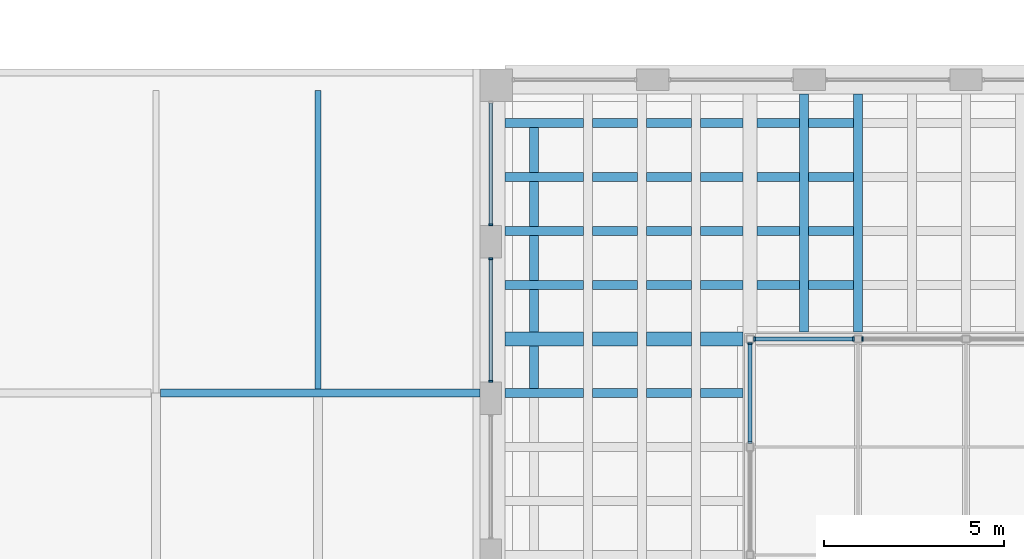
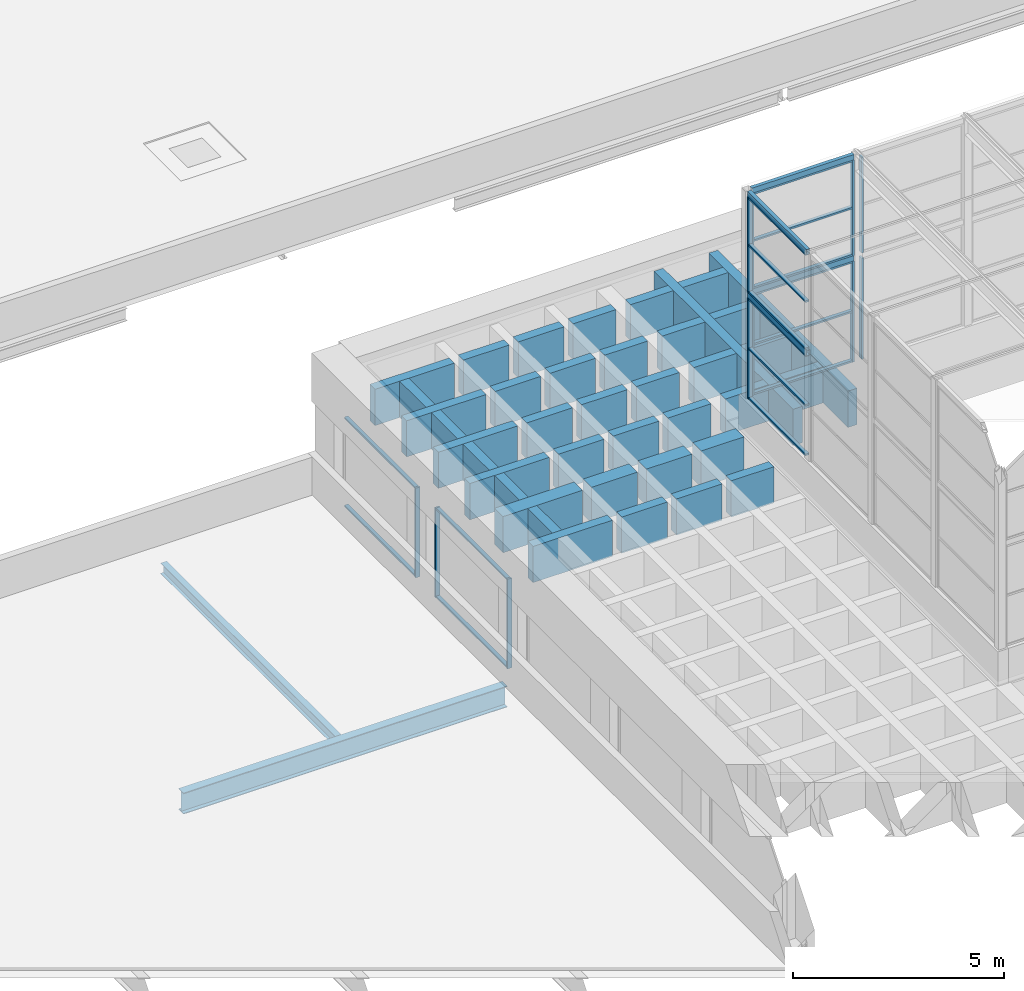
# One storey, part 21 of 50: 45 beams, 27 members, 8 elements without a shape of their own.
"""IFC4 building model written with IfcOpenShell, lengths in metres."""

from ifc_helpers import new_model, si_unit, direction, frame, origin, origin_2d, place, context, subcontext, project, spatial, rectangle, hollow_rectangle, i_section, extrude, material, layer, layer_set, material_profile, profile_set, type_object, element, aggregate, save


model = new_model("IFC4")

# Units and contexts
model_context = context("Model", 3, precision=1e-05, world=origin(), true_north=direction((0.0, 1.0)))
body_context = subcontext(model_context, "Body", "Model", "MODEL_VIEW")
ifc_project = project(units=[si_unit("LENGTHUNIT", "METRE"), si_unit("AREAUNIT", "SQUARE_METRE"), si_unit("VOLUMEUNIT", "CUBIC_METRE"), si_unit("PLANEANGLEUNIT", "RADIAN"), si_unit("MASSUNIT", "GRAM", prefix="KILO")], contexts=[model_context])

# Site, building, storey
site_placement = place(None, origin())
site = spatial("IfcSite", under=ifc_project, at=site_placement, CompositionType="ELEMENT")
building_placement = place(site_placement, origin())
building = spatial("IfcBuilding", under=site, at=building_placement, Name="Corbel Yard City Hall", CompositionType="ELEMENT")
storey_placement = place(building_placement, frame((0.0, 0.0, 15.0)))
storey = spatial("IfcBuildingStorey", under=building, at=storey_placement, Name="L03", CompositionType="ELEMENT", Elevation=15.0)

# Beams
ifc_material_1 = material(Name="Concrete N50 (50 MPa)", Category="concrete")
ifc_material_profile_1 = material_profile(ifc_material_1, rectangle(XDim=0.25, YDim=1.050048828125, at=origin_2d()), Name="250x1050")
ifc_profile_set_1 = profile_set([ifc_material_profile_1], Name="Concrete N50 (50 MPa)")
beam_type_1 = type_object("IfcBeamType", Name="Coffer bay rib RC 250X1050", PredefinedType="T_BEAM", material=ifc_profile_set_1)
for number, where, z_axis, x_axis, name in (
    (1, (126.0, 73.699951171875, 3.125), (0.0, 1.0, 0.0), (-1.0, 0.0, 0.0), "Coffer bay rib RB5"),
    (2, (127.5, 73.699951171875, 3.125), (0.0, 1.0, 0.0), (-1.0, 0.0, 0.0), "Coffer bay rib RB5"),
):
    element("IfcBeam", number, at=place(storey_placement, frame(where, z_axis=z_axis, x_axis=x_axis)), inside=storey, type_object=beam_type_1, Name=name, PredefinedType="T_BEAM", context=body_context, shape_type="SweptSolid", body=[
        extrude(rectangle(XDim=0.25, YDim=1.050048828125, at=origin_2d()), origin(), (0.0, 0.0, 1.0), 6.60009765625),
    ])
ifc_material_profile_2 = material_profile(ifc_material_1, rectangle(XDim=0.25, YDim=1.050048828125, at=origin_2d()), Name="250x1050")
ifc_profile_set_2 = profile_set([ifc_material_profile_2], Name="Concrete N50 (50 MPa)")
beam_type_2 = type_object("IfcBeamType", Name="Coffer cross rib RC 250X1050", PredefinedType="T_BEAM", material=ifc_profile_set_2)
for number, where, z_axis, x_axis, name in (
    (3, (118.5, 72.125, 3.125), (0.0, 1.0, 0.0), (-1.0, 0.0, 0.0), "Coffer cross rib RB3"),
    (4, (118.5, 73.699951171875, 3.125), (0.0, 1.0, 0.0), (-1.0, 0.0, 0.0), "Coffer cross rib RB3"),
):
    element("IfcBeam", number, at=place(storey_placement, frame(where, z_axis=z_axis, x_axis=x_axis)), inside=storey, type_object=beam_type_2, Name=name, PredefinedType="T_BEAM", context=body_context, shape_type="SweptSolid", body=[
        extrude(rectangle(XDim=0.25, YDim=1.050048828125, at=origin_2d()), origin(), (0.0, 0.0, 1.0), 1.175048828125),
    ])
for number, where, z_axis, x_axis, name in (
    (5, (118.5, 75.125, 3.125), (0.0, 1.0, 0.0), (-1.0, 0.0, 0.0), "Coffer cross rib RB3"),
    (6, (118.5, 76.625, 3.125), (0.0, 1.0, 0.0), (-1.0, 0.0, 0.0), "Coffer cross rib RB3"),
    (7, (118.5, 78.125, 3.125), (0.0, 1.0, 0.0), (-1.0, 0.0, 0.0), "Coffer cross rib RB3"),
):
    element("IfcBeam", number, at=place(storey_placement, frame(where, z_axis=z_axis, x_axis=x_axis)), inside=storey, type_object=beam_type_2, Name=name, PredefinedType="T_BEAM", context=body_context, shape_type="SweptSolid", body=[
        extrude(rectangle(XDim=0.25, YDim=1.050048828125, at=origin_2d()), origin(), (0.0, 0.0, 1.0), 1.25),
    ])
beam_1_placement = place(storey_placement, frame((117.699951171875, 72.0, 3.125), z_axis=(1.0, 0.0, 0.0), x_axis=(0.0, 1.0, 0.0)))
element("IfcBeam", 8, at=beam_1_placement, inside=storey, type_object=beam_type_2, Name="Coffer cross rib RB3", PredefinedType="T_BEAM", context=body_context, shape_type="SweptSolid", body=[
    extrude(rectangle(XDim=0.25, YDim=1.050048828125, at=origin_2d()), origin(), (0.0, 0.0, 1.0), 2.175048828125),
])
for number, where, z_axis, x_axis, name in (
    (9, (120.125, 72.0, 3.125), (1.0, 0.0, 0.0), (0.0, 1.0, 0.0), "Coffer cross rib RB3"),
    (10, (121.625, 72.0, 3.125), (1.0, 0.0, 0.0), (0.0, 1.0, 0.0), "Coffer cross rib RB3"),
):
    element("IfcBeam", number, at=place(storey_placement, frame(where, z_axis=z_axis, x_axis=x_axis)), inside=storey, type_object=beam_type_2, Name=name, PredefinedType="T_BEAM", context=body_context, shape_type="SweptSolid", body=[
        extrude(rectangle(XDim=0.25, YDim=1.050048828125, at=origin_2d()), origin(), (0.0, 0.0, 1.0), 1.25),
    ])
beam_2_placement = place(storey_placement, frame((123.125, 72.0, 3.125), z_axis=(1.0, 0.0, 0.0), x_axis=(0.0, 1.0, 0.0)))
element("IfcBeam", 11, at=beam_2_placement, inside=storey, type_object=beam_type_2, Name="Coffer cross rib RB3", PredefinedType="T_BEAM", context=body_context, shape_type="SweptSolid", body=[
    extrude(rectangle(XDim=0.25, YDim=1.050048828125, at=origin_2d()), origin(), (0.0, 0.0, 1.0), 1.175048828125),
])
beam_3_placement = place(storey_placement, frame((117.699951171875, 75.0, 3.125), z_axis=(1.0, 0.0, 0.0), x_axis=(0.0, 1.0, 0.0)))
element("IfcBeam", 12, at=beam_3_placement, inside=storey, type_object=beam_type_2, Name="Coffer cross rib RB3", PredefinedType="T_BEAM", context=body_context, shape_type="SweptSolid", body=[
    extrude(rectangle(XDim=0.25, YDim=1.050048828125, at=origin_2d()), origin(), (0.0, 0.0, 1.0), 2.175048828125),
])
for number, where, z_axis, x_axis, name in (
    (13, (120.125, 75.0, 3.125), (1.0, 0.0, 0.0), (0.0, 1.0, 0.0), "Coffer cross rib RB3"),
    (14, (121.625, 75.0, 3.125), (1.0, 0.0, 0.0), (0.0, 1.0, 0.0), "Coffer cross rib RB3"),
):
    element("IfcBeam", number, at=place(storey_placement, frame(where, z_axis=z_axis, x_axis=x_axis)), inside=storey, type_object=beam_type_2, Name=name, PredefinedType="T_BEAM", context=body_context, shape_type="SweptSolid", body=[
        extrude(rectangle(XDim=0.25, YDim=1.050048828125, at=origin_2d()), origin(), (0.0, 0.0, 1.0), 1.25),
    ])
for number, where, z_axis, x_axis, name in (
    (15, (123.125, 75.0, 3.125), (1.0, 0.0, 0.0), (0.0, 1.0, 0.0), "Coffer cross rib RB3"),
    (16, (124.699951171875, 75.0, 3.125), (1.0, 0.0, 0.0), (0.0, 1.0, 0.0), "Coffer cross rib RB3"),
):
    element("IfcBeam", number, at=place(storey_placement, frame(where, z_axis=z_axis, x_axis=x_axis)), inside=storey, type_object=beam_type_2, Name=name, PredefinedType="T_BEAM", context=body_context, shape_type="SweptSolid", body=[
        extrude(rectangle(XDim=0.25, YDim=1.050048828125, at=origin_2d()), origin(), (0.0, 0.0, 1.0), 1.175048828125),
    ])
beam_4_placement = place(storey_placement, frame((126.125, 75.0, 3.125), z_axis=(1.0, 0.0, 0.0), x_axis=(0.0, 1.0, 0.0)))
element("IfcBeam", 17, at=beam_4_placement, inside=storey, type_object=beam_type_2, Name="Coffer cross rib RB3", PredefinedType="T_BEAM", context=body_context, shape_type="SweptSolid", body=[
    extrude(rectangle(XDim=0.25, YDim=1.050048828125, at=origin_2d()), origin(), (0.0, 0.0, 1.0), 1.25),
])
beam_5_placement = place(storey_placement, frame((117.699951171875, 76.5, 3.125), z_axis=(1.0, 0.0, 0.0), x_axis=(0.0, 1.0, 0.0)))
element("IfcBeam", 18, at=beam_5_placement, inside=storey, type_object=beam_type_2, Name="Coffer cross rib RB3", PredefinedType="T_BEAM", context=body_context, shape_type="SweptSolid", body=[
    extrude(rectangle(XDim=0.25, YDim=1.050048828125, at=origin_2d()), origin(), (0.0, 0.0, 1.0), 2.175048828125),
])
for number, where, z_axis, x_axis, name in (
    (19, (120.125, 76.5, 3.125), (1.0, 0.0, 0.0), (0.0, 1.0, 0.0), "Coffer cross rib RB3"),
    (20, (121.625, 76.5, 3.125), (1.0, 0.0, 0.0), (0.0, 1.0, 0.0), "Coffer cross rib RB3"),
):
    element("IfcBeam", number, at=place(storey_placement, frame(where, z_axis=z_axis, x_axis=x_axis)), inside=storey, type_object=beam_type_2, Name=name, PredefinedType="T_BEAM", context=body_context, shape_type="SweptSolid", body=[
        extrude(rectangle(XDim=0.25, YDim=1.050048828125, at=origin_2d()), origin(), (0.0, 0.0, 1.0), 1.25),
    ])
for number, where, z_axis, x_axis, name in (
    (21, (123.125, 76.5, 3.125), (1.0, 0.0, 0.0), (0.0, 1.0, 0.0), "Coffer cross rib RB3"),
    (22, (124.699951171875, 76.5, 3.125), (1.0, 0.0, 0.0), (0.0, 1.0, 0.0), "Coffer cross rib RB3"),
):
    element("IfcBeam", number, at=place(storey_placement, frame(where, z_axis=z_axis, x_axis=x_axis)), inside=storey, type_object=beam_type_2, Name=name, PredefinedType="T_BEAM", context=body_context, shape_type="SweptSolid", body=[
        extrude(rectangle(XDim=0.25, YDim=1.050048828125, at=origin_2d()), origin(), (0.0, 0.0, 1.0), 1.175048828125),
    ])
beam_6_placement = place(storey_placement, frame((126.125, 76.5, 3.125), z_axis=(1.0, 0.0, 0.0), x_axis=(0.0, 1.0, 0.0)))
element("IfcBeam", 23, at=beam_6_placement, inside=storey, type_object=beam_type_2, Name="Coffer cross rib RB3", PredefinedType="T_BEAM", context=body_context, shape_type="SweptSolid", body=[
    extrude(rectangle(XDim=0.25, YDim=1.050048828125, at=origin_2d()), origin(), (0.0, 0.0, 1.0), 1.25),
])
beam_7_placement = place(storey_placement, frame((117.699951171875, 78.0, 3.125), z_axis=(1.0, 0.0, 0.0), x_axis=(0.0, 1.0, 0.0)))
element("IfcBeam", 24, at=beam_7_placement, inside=storey, type_object=beam_type_2, Name="Coffer cross rib RB3", PredefinedType="T_BEAM", context=body_context, shape_type="SweptSolid", body=[
    extrude(rectangle(XDim=0.25, YDim=1.050048828125, at=origin_2d()), origin(), (0.0, 0.0, 1.0), 2.175048828125),
])
for number, where, z_axis, x_axis, name in (
    (25, (120.125, 78.0, 3.125), (1.0, 0.0, 0.0), (0.0, 1.0, 0.0), "Coffer cross rib RB3"),
    (26, (121.625, 78.0, 3.125), (1.0, 0.0, 0.0), (0.0, 1.0, 0.0), "Coffer cross rib RB3"),
):
    element("IfcBeam", number, at=place(storey_placement, frame(where, z_axis=z_axis, x_axis=x_axis)), inside=storey, type_object=beam_type_2, Name=name, PredefinedType="T_BEAM", context=body_context, shape_type="SweptSolid", body=[
        extrude(rectangle(XDim=0.25, YDim=1.050048828125, at=origin_2d()), origin(), (0.0, 0.0, 1.0), 1.25),
    ])
for number, where, z_axis, x_axis, name in (
    (27, (123.125, 78.0, 3.125), (1.0, 0.0, 0.0), (0.0, 1.0, 0.0), "Coffer cross rib RB3"),
    (28, (124.699951171875, 78.0, 3.125), (1.0, 0.0, 0.0), (0.0, 1.0, 0.0), "Coffer cross rib RB3"),
):
    element("IfcBeam", number, at=place(storey_placement, frame(where, z_axis=z_axis, x_axis=x_axis)), inside=storey, type_object=beam_type_2, Name=name, PredefinedType="T_BEAM", context=body_context, shape_type="SweptSolid", body=[
        extrude(rectangle(XDim=0.25, YDim=1.050048828125, at=origin_2d()), origin(), (0.0, 0.0, 1.0), 1.175048828125),
    ])
beam_8_placement = place(storey_placement, frame((126.125, 78.0, 3.125), z_axis=(1.0, 0.0, 0.0), x_axis=(0.0, 1.0, 0.0)))
element("IfcBeam", 29, at=beam_8_placement, inside=storey, type_object=beam_type_2, Name="Coffer cross rib RB3", PredefinedType="T_BEAM", context=body_context, shape_type="SweptSolid", body=[
    extrude(rectangle(XDim=0.25, YDim=1.050048828125, at=origin_2d()), origin(), (0.0, 0.0, 1.0), 1.25),
])
beam_9_placement = place(storey_placement, frame((117.699951171875, 79.5, 3.125), z_axis=(1.0, 0.0, 0.0), x_axis=(0.0, 1.0, 0.0)))
element("IfcBeam", 30, at=beam_9_placement, inside=storey, type_object=beam_type_2, Name="Coffer cross rib RB3", PredefinedType="T_BEAM", context=body_context, shape_type="SweptSolid", body=[
    extrude(rectangle(XDim=0.25, YDim=1.050048828125, at=origin_2d()), origin(), (0.0, 0.0, 1.0), 2.175048828125),
])
for number, where, z_axis, x_axis, name in (
    (31, (120.125, 79.5, 3.125), (1.0, 0.0, 0.0), (0.0, 1.0, 0.0), "Coffer cross rib RB3"),
    (32, (121.625, 79.5, 3.125), (1.0, 0.0, 0.0), (0.0, 1.0, 0.0), "Coffer cross rib RB3"),
):
    element("IfcBeam", number, at=place(storey_placement, frame(where, z_axis=z_axis, x_axis=x_axis)), inside=storey, type_object=beam_type_2, Name=name, PredefinedType="T_BEAM", context=body_context, shape_type="SweptSolid", body=[
        extrude(rectangle(XDim=0.25, YDim=1.050048828125, at=origin_2d()), origin(), (0.0, 0.0, 1.0), 1.25),
    ])
for number, where, z_axis, x_axis, name in (
    (33, (123.125, 79.5, 3.125), (1.0, 0.0, 0.0), (0.0, 1.0, 0.0), "Coffer cross rib RB3"),
    (34, (124.699951171875, 79.5, 3.125), (1.0, 0.0, 0.0), (0.0, 1.0, 0.0), "Coffer cross rib RB3"),
):
    element("IfcBeam", number, at=place(storey_placement, frame(where, z_axis=z_axis, x_axis=x_axis)), inside=storey, type_object=beam_type_2, Name=name, PredefinedType="T_BEAM", context=body_context, shape_type="SweptSolid", body=[
        extrude(rectangle(XDim=0.25, YDim=1.050048828125, at=origin_2d()), origin(), (0.0, 0.0, 1.0), 1.175048828125),
    ])
beam_10_placement = place(storey_placement, frame((126.125, 79.5, 3.125), z_axis=(1.0, 0.0, 0.0), x_axis=(0.0, 1.0, 0.0)))
element("IfcBeam", 35, at=beam_10_placement, inside=storey, type_object=beam_type_2, Name="Coffer cross rib RB3", PredefinedType="T_BEAM", context=body_context, shape_type="SweptSolid", body=[
    extrude(rectangle(XDim=0.25, YDim=1.050048828125, at=origin_2d()), origin(), (0.0, 0.0, 1.0), 1.25),
])
ifc_material_2 = material(Name="Steel Grade 300 (300 MPa yield)", Category="steel")
ifc_material_profile_3 = material_profile(ifc_material_2, i_section(OverallWidth=0.22900390625, OverallDepth=0.612060546875, WebThickness=0.011962890625, FlangeThickness=0.01953125, at=origin_2d()), Name="610UB125")
ifc_profile_set_3 = profile_set([ifc_material_profile_3], Name="Steel Grade 300 (300 MPa yield)")
beam_type_3 = type_object("IfcBeamType", Name="Girder 610UB125", PredefinedType="BEAM", material=ifc_profile_set_3)
beam_11_placement = place(storey_placement, frame((108.1298828125, 72.0, -0.4560546875), z_axis=(1.0, 0.0, 0.0), x_axis=(0.0, 1.0, 0.0)))
element("IfcBeam", 36, at=beam_11_placement, inside=storey, type_object=beam_type_3, Name="Girder 610UB125 GB1 L03roof", PredefinedType="BEAM", context=body_context, shape_type="SweptSolid", body=[
    extrude(i_section(OverallWidth=0.22900390625, OverallDepth=0.612060546875, WebThickness=0.011962890625, FlangeThickness=0.01953125, at=origin_2d()), origin(), (0.0, 0.0, 1.0), 8.8701171875),
])
ifc_material_3 = material(Name="Steel Grade C450L0", Category="steel")
ifc_material_profile_4 = material_profile(ifc_material_3, hollow_rectangle(XDim=0.10009765625, YDim=0.14990234375, WallThickness=0.006103515625, at=origin_2d()), Name="150x100x6.0RHS")
ifc_profile_set_4 = profile_set([ifc_material_profile_4], Name="Steel Grade C450L0")
beam_type_4 = type_object("IfcBeamType", Name="Lantern frame beam 150x100x6.0RHS", PredefinedType="BEAM", material=ifc_profile_set_4)
for number, where, z_axis, x_axis, name in (
    (37, (124.60009765625, 73.5, 10.574951171875), (1.0, 0.0, 0.0), (0.0, 1.0, 0.0), "Lantern frame beam 150x100x6.0RHS SB22"),
    (38, (124.5, 70.60009765625, 10.574951171875), (0.0, 1.0, 0.0), (-1.0, 0.0, 0.0), "Lantern frame beam 150x100x6.0RHS SB22"),
    (39, (124.60009765625, 73.5, 7.64990234375), (1.0, 0.0, 0.0), (0.0, 1.0, 0.0), "Lantern frame beam 150x100x6.0RHS SB22"),
    (40, (124.5, 70.60009765625, 7.64990234375), (0.0, 1.0, 0.0), (-1.0, 0.0, 0.0), "Lantern frame beam 150x100x6.0RHS SB22"),
):
    element("IfcBeam", number, at=place(storey_placement, frame(where, z_axis=z_axis, x_axis=x_axis)), inside=storey, type_object=beam_type_4, Name=name, PredefinedType="BEAM", context=body_context, shape_type="SweptSolid", body=[
        extrude(hollow_rectangle(XDim=0.10009765625, YDim=0.14990234375, WallThickness=0.006103515625, at=origin_2d()), origin(), (0.0, 0.0, 1.0), 2.7998046875),
    ])
ifc_material_profile_5 = material_profile(ifc_material_1, rectangle(XDim=0.39990234375, YDim=1.050048828125, at=origin_2d()), Name="400x1050")
ifc_profile_set_5 = profile_set([ifc_material_profile_5], Name="Concrete N50 (50 MPa)")
beam_type_5 = type_object("IfcBeamType", Name="Lantern trimmer cross rib RC 400X1050", PredefinedType="BEAM", material=ifc_profile_set_5)
beam_12_placement = place(storey_placement, frame((117.699951171875, 73.5, 3.125), z_axis=(1.0, 0.0, 0.0), x_axis=(0.0, 1.0, 0.0)))
element("IfcBeam", 41, at=beam_12_placement, inside=storey, type_object=beam_type_5, Name="Lantern trimmer cross rib RB4", PredefinedType="BEAM", context=body_context, shape_type="SweptSolid", body=[
    extrude(rectangle(XDim=0.39990234375, YDim=1.050048828125, at=origin_2d()), origin(), (0.0, 0.0, 1.0), 2.175048828125),
])
for number, where, z_axis, x_axis, name in (
    (42, (120.125, 73.5, 3.125), (1.0, 0.0, 0.0), (0.0, 1.0, 0.0), "Lantern trimmer cross rib RB4"),
    (43, (121.625, 73.5, 3.125), (1.0, 0.0, 0.0), (0.0, 1.0, 0.0), "Lantern trimmer cross rib RB4"),
):
    element("IfcBeam", number, at=place(storey_placement, frame(where, z_axis=z_axis, x_axis=x_axis)), inside=storey, type_object=beam_type_5, Name=name, PredefinedType="BEAM", context=body_context, shape_type="SweptSolid", body=[
        extrude(rectangle(XDim=0.39990234375, YDim=1.050048828125, at=origin_2d()), origin(), (0.0, 0.0, 1.0), 1.25),
    ])
beam_13_placement = place(storey_placement, frame((123.125, 73.5, 3.125), z_axis=(1.0, 0.0, 0.0), x_axis=(0.0, 1.0, 0.0)))
element("IfcBeam", 44, at=beam_13_placement, inside=storey, type_object=beam_type_5, Name="Lantern trimmer cross rib RB4", PredefinedType="BEAM", context=body_context, shape_type="SweptSolid", body=[
    extrude(rectangle(XDim=0.39990234375, YDim=1.050048828125, at=origin_2d()), origin(), (0.0, 0.0, 1.0), 1.175048828125),
])

# Curtain wall, members
ifc_material_4 = material(Name="Aluminium extrusion", Category="aluminium")
ifc_layer = layer(ifc_material_4, 0.1201171875)
ifc_layer_set = layer_set([ifc_layer], Name="Aluminium extrusion")
curtain_wall_type = type_object("IfcCurtainWallType", Name="CW3", PredefinedType="USERDEFINED", material=ifc_layer_set)
curtain_wall_1_placement = place(storey_placement, origin())
curtain_wall_1 = element("IfcCurtainWall", 45, at=curtain_wall_1_placement, inside=storey, type_object=curtain_wall_type, Name="Lantern glazing", ObjectType="CURTAIN WALL", PredefinedType="USERDEFINED")
ifc_material_profile_6 = material_profile(ifc_material_4, rectangle(XDim=0.1201171875, YDim=0.050048828125, at=origin_2d()), Name="120x50")
ifc_profile_set_6 = profile_set([ifc_material_profile_6], Name="Aluminium extrusion")
member_type_1 = type_object("IfcMemberType", Name="ML3", PredefinedType="MULLION", material=ifc_profile_set_6)
member_1_placement = place(storey_placement, frame((124.625, 73.5, 4.64990234375), z_axis=(0.0, 0.0, 1.0), x_axis=(0.0, 1.0, 0.0)))
member_1 = element("IfcMember", 46, at=member_1_placement, type_object=member_type_1, Name="CW3 mullion 1", PredefinedType="MULLION", context=body_context, shape_type="SweptSolid", body=[
    extrude(rectangle(XDim=0.1201171875, YDim=0.050048828125, at=origin_2d()), origin(), (0.0, 0.0, 1.0), 2.925048828125),
])
member_2_placement = place(storey_placement, frame((127.375, 73.5, 4.64990234375), z_axis=(0.0, 0.0, 1.0), x_axis=(0.0, 1.0, 0.0)))
member_2 = element("IfcMember", 47, at=member_2_placement, type_object=member_type_1, Name="CW3 mullion 2", PredefinedType="MULLION", context=body_context, shape_type="SweptSolid", body=[
    extrude(rectangle(XDim=0.1201171875, YDim=0.050048828125, at=origin_2d()), origin(), (0.0, 0.0, 1.0), 2.925048828125),
])

# Curtain wall, member
curtain_wall_2_placement = place(storey_placement, origin())
curtain_wall_2 = element("IfcCurtainWall", 48, at=curtain_wall_2_placement, inside=storey, type_object=curtain_wall_type, Name="Lantern glazing", ObjectType="CURTAIN WALL", PredefinedType="USERDEFINED")
member_3_placement = place(storey_placement, frame((127.625, 73.5, 4.64990234375), z_axis=(0.0, 0.0, 1.0), x_axis=(0.0, 1.0, 0.0)))
member_3 = element("IfcMember", 49, at=member_3_placement, type_object=member_type_1, Name="CW3 mullion 1", PredefinedType="MULLION", context=body_context, shape_type="SweptSolid", body=[
    extrude(rectangle(XDim=0.1201171875, YDim=0.050048828125, at=origin_2d()), origin(), (0.0, 0.0, 1.0), 2.925048828125),
])
aggregate(curtain_wall_2, [member_3])

curtain_wall_3_placement = place(storey_placement, origin())
curtain_wall_3 = element("IfcCurtainWall", 50, at=curtain_wall_3_placement, inside=storey, type_object=curtain_wall_type, Name="Lantern glazing", ObjectType="CURTAIN WALL", PredefinedType="USERDEFINED")
member_4_placement = place(storey_placement, frame((124.5, 73.375, 4.64990234375), z_axis=(0.0, 0.0, 1.0), x_axis=(-1.0, 0.0, 0.0)))
member_4 = element("IfcMember", 51, at=member_4_placement, type_object=member_type_1, Name="CW3 mullion 2", PredefinedType="MULLION", context=body_context, shape_type="SweptSolid", body=[
    extrude(rectangle(XDim=0.1201171875, YDim=0.050048828125, at=origin_2d()), origin(), (0.0, 0.0, 1.0), 2.925048828125),
])

# Curtain wall, members
curtain_wall_4_placement = place(storey_placement, origin())
curtain_wall_4 = element("IfcCurtainWall", 52, at=curtain_wall_4_placement, inside=storey, type_object=curtain_wall_type, Name="Lantern glazing", ObjectType="CURTAIN WALL", PredefinedType="USERDEFINED")
member_5_placement = place(storey_placement, frame((124.625, 73.5, 7.72509765625), z_axis=(0.0, 0.0, 1.0), x_axis=(0.0, 1.0, 0.0)))
member_5 = element("IfcMember", 53, at=member_5_placement, type_object=member_type_1, Name="CW3 mullion 1", PredefinedType="MULLION", context=body_context, shape_type="SweptSolid", body=[
    extrude(rectangle(XDim=0.1201171875, YDim=0.050048828125, at=origin_2d()), origin(), (0.0, 0.0, 1.0), 2.77490234375),
])
member_6_placement = place(storey_placement, frame((127.375, 73.5, 7.72509765625), z_axis=(0.0, 0.0, 1.0), x_axis=(0.0, 1.0, 0.0)))
member_6 = element("IfcMember", 54, at=member_6_placement, type_object=member_type_1, Name="CW3 mullion 2", PredefinedType="MULLION", context=body_context, shape_type="SweptSolid", body=[
    extrude(rectangle(XDim=0.1201171875, YDim=0.050048828125, at=origin_2d()), origin(), (0.0, 0.0, 1.0), 2.77490234375),
])

# Curtain wall, member
curtain_wall_5_placement = place(storey_placement, origin())
curtain_wall_5 = element("IfcCurtainWall", 55, at=curtain_wall_5_placement, inside=storey, type_object=curtain_wall_type, Name="Lantern glazing", ObjectType="CURTAIN WALL", PredefinedType="USERDEFINED")
member_7_placement = place(storey_placement, frame((127.625, 73.5, 7.72509765625), z_axis=(0.0, 0.0, 1.0), x_axis=(0.0, 1.0, 0.0)))
member_7 = element("IfcMember", 56, at=member_7_placement, type_object=member_type_1, Name="CW3 mullion 1", PredefinedType="MULLION", context=body_context, shape_type="SweptSolid", body=[
    extrude(rectangle(XDim=0.1201171875, YDim=0.050048828125, at=origin_2d()), origin(), (0.0, 0.0, 1.0), 2.77490234375),
])
aggregate(curtain_wall_5, [member_7])

curtain_wall_6_placement = place(storey_placement, origin())
curtain_wall_6 = element("IfcCurtainWall", 57, at=curtain_wall_6_placement, inside=storey, type_object=curtain_wall_type, Name="Lantern glazing", ObjectType="CURTAIN WALL", PredefinedType="USERDEFINED")
member_8_placement = place(storey_placement, frame((124.5, 73.375, 7.72509765625), z_axis=(0.0, 0.0, 1.0), x_axis=(-1.0, 0.0, 0.0)))
member_8 = element("IfcMember", 58, at=member_8_placement, type_object=member_type_1, Name="CW3 mullion 2", PredefinedType="MULLION", context=body_context, shape_type="SweptSolid", body=[
    extrude(rectangle(XDim=0.1201171875, YDim=0.050048828125, at=origin_2d()), origin(), (0.0, 0.0, 1.0), 2.77490234375),
])

# Curtain wall, members
curtain_wall_7_placement = place(storey_placement, origin())
curtain_wall_7 = element("IfcCurtainWall", 59, at=curtain_wall_7_placement, inside=storey, type_object=curtain_wall_type, Name="Chamber clerestory glazing", ObjectType="CURTAIN WALL", PredefinedType="USERDEFINED")
member_9_placement = place(storey_placement, frame((117.300048828125, 72.324951171875, 0.0), z_axis=(0.0, 0.0, 1.0), x_axis=(-1.0, 0.0, 0.0)))
member_9 = element("IfcMember", 60, at=member_9_placement, type_object=member_type_1, Name="CW3 mullion 1", PredefinedType="MULLION", context=body_context, shape_type="SweptSolid", body=[
    extrude(rectangle(XDim=0.1201171875, YDim=0.050048828125, at=origin_2d()), origin(), (0.0, 0.0, 1.0), 2.60009765625),
])
member_10_placement = place(storey_placement, frame((117.300048828125, 75.72509765625, 0.0), z_axis=(0.0, 0.0, 1.0), x_axis=(-1.0, 0.0, 0.0)))
member_10 = element("IfcMember", 61, at=member_10_placement, type_object=member_type_1, Name="CW3 mullion 2", PredefinedType="MULLION", context=body_context, shape_type="SweptSolid", body=[
    extrude(rectangle(XDim=0.1201171875, YDim=0.050048828125, at=origin_2d()), origin(), (0.0, 0.0, 1.0), 2.60009765625),
])

# Curtain wall, member
curtain_wall_8_placement = place(storey_placement, origin())
curtain_wall_8 = element("IfcCurtainWall", 62, at=curtain_wall_8_placement, inside=storey, type_object=curtain_wall_type, Name="Chamber clerestory glazing", ObjectType="CURTAIN WALL", PredefinedType="USERDEFINED")
member_11_placement = place(storey_placement, frame((117.300048828125, 76.675048828125, 0.0), z_axis=(0.0, 0.0, 1.0), x_axis=(-1.0, 0.0, 0.0)))
member_11 = element("IfcMember", 63, at=member_11_placement, type_object=member_type_1, Name="CW3 mullion 1", PredefinedType="MULLION", context=body_context, shape_type="SweptSolid", body=[
    extrude(rectangle(XDim=0.1201171875, YDim=0.050048828125, at=origin_2d()), origin(), (0.0, 0.0, 1.0), 2.60009765625),
])

# Beam
ifc_material_profile_7 = material_profile(ifc_material_2, i_section(OverallWidth=0.166015625, OverallDepth=0.306884765625, WebThickness=0.006591796875, FlangeThickness=0.01171875, at=origin_2d()), Name="310UB46.2")
ifc_profile_set_7 = profile_set([ifc_material_profile_7], Name="Steel Grade 300 (300 MPa yield)")
beam_type_6 = type_object("IfcBeamType", Name="Secondary beam 310UB46.2", PredefinedType="JOIST", material=ifc_profile_set_7)
beam_14_placement = place(storey_placement, frame((112.5, 72.114501953125, -0.303466796875), z_axis=(0.0, 1.0, 0.0), x_axis=(-1.0, 0.0, 0.0)))
element("IfcBeam", 64, at=beam_14_placement, inside=storey, type_object=beam_type_6, Name="Secondary beam 310UB46.2 SB17 L03roof", PredefinedType="JOIST", context=body_context, shape_type="SweptSolid", body=[
    extrude(i_section(OverallWidth=0.166015625, OverallDepth=0.306884765625, WebThickness=0.006591796875, FlangeThickness=0.01171875, at=origin_2d()), origin(), (0.0, 0.0, 1.0), 8.285400390625),
])

# Member
ifc_material_profile_8 = material_profile(ifc_material_4, rectangle(XDim=0.10009765625, YDim=0.050048828125, at=origin_2d()), Name="100x50")
ifc_profile_set_8 = profile_set([ifc_material_profile_8], Name="Aluminium extrusion")
member_type_2 = type_object("IfcMemberType", Name="TR3", PredefinedType="USERDEFINED", material=ifc_profile_set_8)
member_12_placement = place(storey_placement, frame((124.64990234375, 73.5, 4.675048828125), z_axis=(1.0, 0.0, 0.0), x_axis=(0.0, 1.0, 0.0)))
member_12 = element("IfcMember", 65, at=member_12_placement, type_object=member_type_2, Name="CW3 transom 1.1", ObjectType="TRANSOM", PredefinedType="USERDEFINED", context=body_context, shape_type="SweptSolid", body=[
    extrude(rectangle(XDim=0.10009765625, YDim=0.050048828125, at=origin_2d()), origin(), (0.0, 0.0, 1.0), 2.7001953125),
])

member_13_placement = place(storey_placement, frame((124.64990234375, 73.5, 6.112548828125), z_axis=(1.0, 0.0, 0.0), x_axis=(0.0, 1.0, 0.0)))
member_13 = element("IfcMember", 66, at=member_13_placement, type_object=member_type_2, Name="CW3 transom 1.2", ObjectType="TRANSOM", PredefinedType="USERDEFINED", context=body_context, shape_type="SweptSolid", body=[
    extrude(rectangle(XDim=0.10009765625, YDim=0.050048828125, at=origin_2d()), origin(), (0.0, 0.0, 1.0), 2.7001953125),
])

member_14_placement = place(storey_placement, frame((124.64990234375, 73.5, 7.550048828125), z_axis=(1.0, 0.0, 0.0), x_axis=(0.0, 1.0, 0.0)))
member_14 = element("IfcMember", 67, at=member_14_placement, type_object=member_type_2, Name="CW3 transom 1.3", ObjectType="TRANSOM", PredefinedType="USERDEFINED", context=body_context, shape_type="SweptSolid", body=[
    extrude(rectangle(XDim=0.10009765625, YDim=0.050048828125, at=origin_2d()), origin(), (0.0, 0.0, 1.0), 2.7001953125),
])

aggregate(curtain_wall_1, [member_1, member_2, member_12, member_13, member_14])

member_15_placement = place(storey_placement, frame((124.5, 70.64990234375, 4.675048828125), z_axis=(0.0, 1.0, 0.0), x_axis=(-1.0, 0.0, 0.0)))
member_15 = element("IfcMember", 68, at=member_15_placement, type_object=member_type_2, Name="CW3 transom 1.1", ObjectType="TRANSOM", PredefinedType="USERDEFINED", context=body_context, shape_type="SweptSolid", body=[
    extrude(rectangle(XDim=0.10009765625, YDim=0.050048828125, at=origin_2d()), origin(), (0.0, 0.0, 1.0), 2.7001953125),
])

member_16_placement = place(storey_placement, frame((124.5, 70.64990234375, 6.112548828125), z_axis=(0.0, 1.0, 0.0), x_axis=(-1.0, 0.0, 0.0)))
member_16 = element("IfcMember", 69, at=member_16_placement, type_object=member_type_2, Name="CW3 transom 1.2", ObjectType="TRANSOM", PredefinedType="USERDEFINED", context=body_context, shape_type="SweptSolid", body=[
    extrude(rectangle(XDim=0.10009765625, YDim=0.050048828125, at=origin_2d()), origin(), (0.0, 0.0, 1.0), 2.7001953125),
])

member_17_placement = place(storey_placement, frame((124.5, 70.64990234375, 7.550048828125), z_axis=(0.0, 1.0, 0.0), x_axis=(-1.0, 0.0, 0.0)))
member_17 = element("IfcMember", 70, at=member_17_placement, type_object=member_type_2, Name="CW3 transom 1.3", ObjectType="TRANSOM", PredefinedType="USERDEFINED", context=body_context, shape_type="SweptSolid", body=[
    extrude(rectangle(XDim=0.10009765625, YDim=0.050048828125, at=origin_2d()), origin(), (0.0, 0.0, 1.0), 2.7001953125),
])

aggregate(curtain_wall_3, [member_4, member_15, member_16, member_17])

member_18_placement = place(storey_placement, frame((124.64990234375, 73.5, 7.75), z_axis=(1.0, 0.0, 0.0), x_axis=(0.0, 1.0, 0.0)))
member_18 = element("IfcMember", 71, at=member_18_placement, type_object=member_type_2, Name="CW3 transom 1.1", ObjectType="TRANSOM", PredefinedType="USERDEFINED", context=body_context, shape_type="SweptSolid", body=[
    extrude(rectangle(XDim=0.10009765625, YDim=0.050048828125, at=origin_2d()), origin(), (0.0, 0.0, 1.0), 2.7001953125),
])

member_19_placement = place(storey_placement, frame((124.64990234375, 73.5, 9.112548828125), z_axis=(1.0, 0.0, 0.0), x_axis=(0.0, 1.0, 0.0)))
member_19 = element("IfcMember", 72, at=member_19_placement, type_object=member_type_2, Name="CW3 transom 1.2", ObjectType="TRANSOM", PredefinedType="USERDEFINED", context=body_context, shape_type="SweptSolid", body=[
    extrude(rectangle(XDim=0.10009765625, YDim=0.050048828125, at=origin_2d()), origin(), (0.0, 0.0, 1.0), 2.7001953125),
])

member_20_placement = place(storey_placement, frame((124.64990234375, 73.5, 10.47509765625), z_axis=(1.0, 0.0, 0.0), x_axis=(0.0, 1.0, 0.0)))
member_20 = element("IfcMember", 73, at=member_20_placement, type_object=member_type_2, Name="CW3 transom 1.3", ObjectType="TRANSOM", PredefinedType="USERDEFINED", context=body_context, shape_type="SweptSolid", body=[
    extrude(rectangle(XDim=0.10009765625, YDim=0.050048828125, at=origin_2d()), origin(), (0.0, 0.0, 1.0), 2.7001953125),
])

aggregate(curtain_wall_4, [member_5, member_6, member_18, member_19, member_20])

member_21_placement = place(storey_placement, frame((124.5, 70.64990234375, 7.75), z_axis=(0.0, 1.0, 0.0), x_axis=(-1.0, 0.0, 0.0)))
member_21 = element("IfcMember", 74, at=member_21_placement, type_object=member_type_2, Name="CW3 transom 1.1", ObjectType="TRANSOM", PredefinedType="USERDEFINED", context=body_context, shape_type="SweptSolid", body=[
    extrude(rectangle(XDim=0.10009765625, YDim=0.050048828125, at=origin_2d()), origin(), (0.0, 0.0, 1.0), 2.7001953125),
])

member_22_placement = place(storey_placement, frame((124.5, 70.64990234375, 9.112548828125), z_axis=(0.0, 1.0, 0.0), x_axis=(-1.0, 0.0, 0.0)))
member_22 = element("IfcMember", 75, at=member_22_placement, type_object=member_type_2, Name="CW3 transom 1.2", ObjectType="TRANSOM", PredefinedType="USERDEFINED", context=body_context, shape_type="SweptSolid", body=[
    extrude(rectangle(XDim=0.10009765625, YDim=0.050048828125, at=origin_2d()), origin(), (0.0, 0.0, 1.0), 2.7001953125),
])

member_23_placement = place(storey_placement, frame((124.5, 70.64990234375, 10.47509765625), z_axis=(0.0, 1.0, 0.0), x_axis=(-1.0, 0.0, 0.0)))
member_23 = element("IfcMember", 76, at=member_23_placement, type_object=member_type_2, Name="CW3 transom 1.3", ObjectType="TRANSOM", PredefinedType="USERDEFINED", context=body_context, shape_type="SweptSolid", body=[
    extrude(rectangle(XDim=0.10009765625, YDim=0.050048828125, at=origin_2d()), origin(), (0.0, 0.0, 1.0), 2.7001953125),
])

aggregate(curtain_wall_6, [member_8, member_21, member_22, member_23])

member_24_placement = place(storey_placement, frame((117.300048828125, 72.35009765625, 0.02490234375), z_axis=(0.0, 1.0, 0.0), x_axis=(-1.0, 0.0, 0.0)))
member_24 = element("IfcMember", 77, at=member_24_placement, type_object=member_type_2, Name="CW3 transom 1.1", ObjectType="TRANSOM", PredefinedType="USERDEFINED", context=body_context, shape_type="SweptSolid", body=[
    extrude(rectangle(XDim=0.10009765625, YDim=0.050048828125, at=origin_2d()), origin(), (0.0, 0.0, 1.0), 3.349853515625),
])

member_25_placement = place(storey_placement, frame((117.300048828125, 72.35009765625, 2.574951171875), z_axis=(0.0, 1.0, 0.0), x_axis=(-1.0, 0.0, 0.0)))
member_25 = element("IfcMember", 78, at=member_25_placement, type_object=member_type_2, Name="CW3 transom 1.2", ObjectType="TRANSOM", PredefinedType="USERDEFINED", context=body_context, shape_type="SweptSolid", body=[
    extrude(rectangle(XDim=0.10009765625, YDim=0.050048828125, at=origin_2d()), origin(), (0.0, 0.0, 1.0), 3.349853515625),
])

aggregate(curtain_wall_7, [member_9, member_10, member_24, member_25])

member_26_placement = place(storey_placement, frame((117.300048828125, 76.699951171875, 0.02490234375), z_axis=(0.0, 1.0, 0.0), x_axis=(-1.0, 0.0, 0.0)))
member_26 = element("IfcMember", 79, at=member_26_placement, type_object=member_type_2, Name="CW3 transom 1.1", ObjectType="TRANSOM", PredefinedType="USERDEFINED", context=body_context, shape_type="SweptSolid", body=[
    extrude(rectangle(XDim=0.10009765625, YDim=0.050048828125, at=origin_2d()), origin(), (0.0, 0.0, 1.0), 3.35009765625),
])

member_27_placement = place(storey_placement, frame((117.300048828125, 76.699951171875, 2.574951171875), z_axis=(0.0, 1.0, 0.0), x_axis=(-1.0, 0.0, 0.0)))
member_27 = element("IfcMember", 80, at=member_27_placement, type_object=member_type_2, Name="CW3 transom 1.2", ObjectType="TRANSOM", PredefinedType="USERDEFINED", context=body_context, shape_type="SweptSolid", body=[
    extrude(rectangle(XDim=0.10009765625, YDim=0.050048828125, at=origin_2d()), origin(), (0.0, 0.0, 1.0), 3.35009765625),
])

aggregate(curtain_wall_8, [member_11, member_26, member_27])

save(model, "model.ifc")
